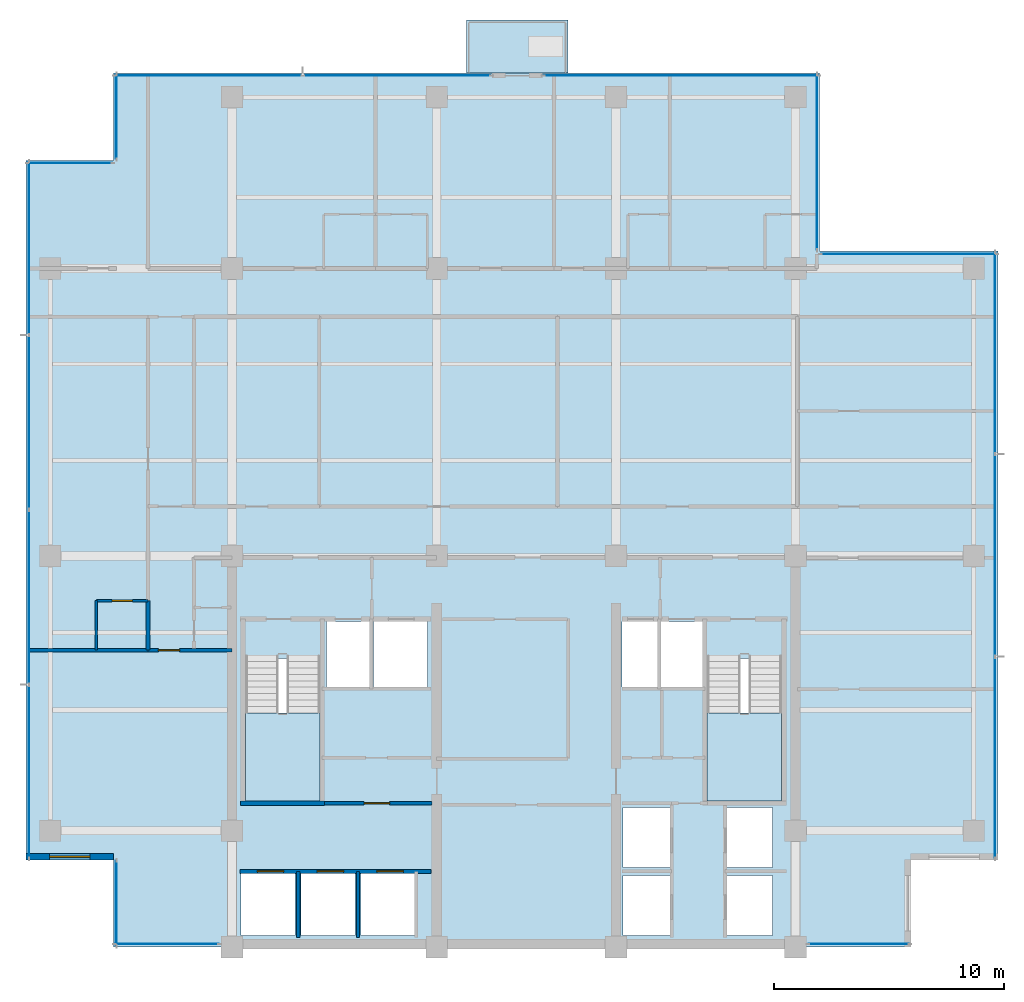
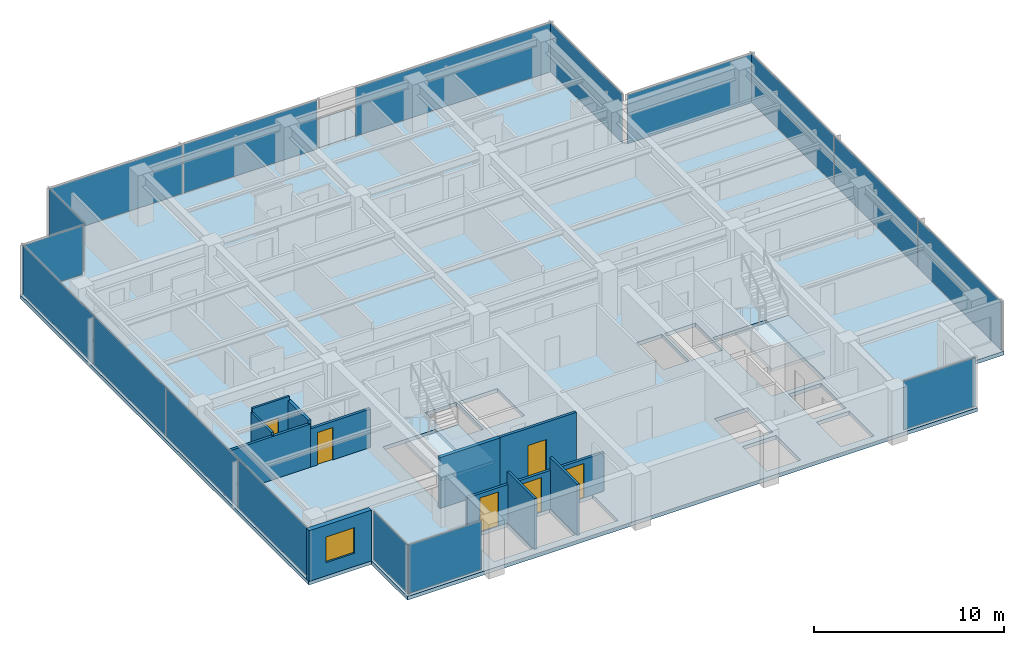
# One storey, part 6 of 15: 17 plates, 11 walls, 6 doors, 4 slabs, 1 window, 7 openings, 13 elements without a shape of their own.
"""IFC4 building model written with IfcOpenShell, lengths in metres."""

from ifc_helpers import new_model, si_unit, direction, frame, frame_2d, origin, origin_2d, place, context, subcontext, project, spatial, polyline, rectangle, outline, extrude, material, layer, layer_set, type_object, element, fill, aggregate, save


model = new_model("IFC4")

# Units and contexts
model_context = context("Model", 3, precision=1e-05, world=origin(), true_north=direction((0.0, 1.0)))
body_context = subcontext(model_context, "Body", "Model", "MODEL_VIEW")
ifc_project = project(units=[si_unit("LENGTHUNIT", "METRE"), si_unit("AREAUNIT", "SQUARE_METRE"), si_unit("VOLUMEUNIT", "CUBIC_METRE"), si_unit("PLANEANGLEUNIT", "RADIAN"), si_unit("MASSUNIT", "GRAM", prefix="KILO")], contexts=[model_context])

# Site, building, storey
site_placement = place(None, origin())
site = spatial("IfcSite", under=ifc_project, at=site_placement, CompositionType="ELEMENT")
building_placement = place(site_placement, origin())
building = spatial("IfcBuilding", under=site, at=building_placement, Name="Qalmaran Belvedere Hotel", CompositionType="ELEMENT")
storey_placement = place(building_placement, frame((0.0, 0.0, 231.89990234375)))
storey = spatial("IfcBuildingStorey", under=building, at=storey_placement, Name="L59", CompositionType="ELEMENT", Elevation=231.89990234375)

# Curtain wall, plate
ifc_material_1 = material(Name="Anodised Bronze Aluminium", Category="aluminium")
ifc_layer_1 = layer(ifc_material_1, 0.18994140625, Name="Anodised Bronze Aluminium")
ifc_layer_set_1 = layer_set([ifc_layer_1], Name="Anodised Bronze Aluminium")
curtain_wall_type = type_object("IfcCurtainWallType", Name="CW5-TOWER-UPPER", PredefinedType="NOTDEFINED", material=ifc_layer_set_1)
curtain_wall_1_placement = place(storey_placement, origin())
curtain_wall_1 = element("IfcCurtainWall", 1, at=curtain_wall_1_placement, inside=storey, type_object=curtain_wall_type, Name="L59 Curtain Wall CW5", PredefinedType="NOTDEFINED")
ifc_material_2 = material(Name="Solar-Control Double Glazing", Category="glass")
ifc_layer_2 = layer(ifc_material_2, 0.028076171875, Name="Solar-Control Double Glazing")
ifc_layer_set_2 = layer_set([ifc_layer_2], Name="Solar-Control Double Glazing")
plate_type = type_object("IfcPlateType", Name="CWP-VISION-28", PredefinedType="CURTAIN_PANEL", material=ifc_layer_set_2)
plate_1_placement = place(storey_placement, frame((17.467529296875, 3.6201171875, 0.065185546875), z_axis=(0.0, 0.0, 1.0), x_axis=(1.0, 0.0, 0.0)))
plate_1 = element("IfcPlate", 2, at=plate_1_placement, type_object=plate_type, Name="CW5 panel 1.1", PredefinedType="CURTAIN_PANEL", context=body_context, shape_type="SweptSolid", body=[
    extrude(rectangle(XDim=4.5048828125, YDim=0.028076171875, at=origin_2d()), origin(), (0.0, 0.0, 1.0), 3.1298828125),
])
aggregate(curtain_wall_1, [plate_1])

curtain_wall_2_placement = place(storey_placement, origin())
curtain_wall_2 = element("IfcCurtainWall", 3, at=curtain_wall_2_placement, inside=storey, type_object=curtain_wall_type, Name="L59 Curtain Wall CW5", PredefinedType="NOTDEFINED")
plate_2_placement = place(storey_placement, frame((47.5576171875, 3.6201171875, 0.065185546875), z_axis=(0.0, 0.0, 1.0), x_axis=(1.0, 0.0, 0.0)))
plate_2 = element("IfcPlate", 4, at=plate_2_placement, type_object=plate_type, Name="CW5 panel 1.1", PredefinedType="CURTAIN_PANEL", context=body_context, shape_type="SweptSolid", body=[
    extrude(rectangle(XDim=4.35498046875, YDim=0.028076171875, at=origin_2d()), origin(), (0.0, 0.0, 1.0), 3.1298828125),
])
aggregate(curtain_wall_2, [plate_2])

# Curtain wall, plates
curtain_wall_3_placement = place(storey_placement, origin())
curtain_wall_3 = element("IfcCurtainWall", 5, at=curtain_wall_3_placement, inside=storey, type_object=curtain_wall_type, Name="L59 Curtain Wall CW5", PredefinedType="NOTDEFINED")
plate_3_placement = place(storey_placement, frame((53.47998046875, 11.724609375, 0.065185546875), z_axis=(0.0, 0.0, 1.0), x_axis=(0.0, 1.0, 0.0)))
plate_3 = element("IfcPlate", 6, at=plate_3_placement, type_object=plate_type, Name="CW5 panel 1.1", PredefinedType="CURTAIN_PANEL", context=body_context, shape_type="SweptSolid", body=[
    extrude(rectangle(XDim=8.71923828125, YDim=0.028076171875, at=origin_2d()), origin(), (0.0, 0.0, 1.0), 3.1298828125),
])
plate_4_placement = place(storey_placement, frame((53.47998046875, 20.52490234375, 0.065185546875), z_axis=(0.0, 0.0, 1.0), x_axis=(0.0, 1.0, 0.0)))
plate_4 = element("IfcPlate", 7, at=plate_4_placement, type_object=plate_type, Name="CW5 panel 2.1", PredefinedType="CURTAIN_PANEL", context=body_context, shape_type="SweptSolid", body=[
    extrude(rectangle(XDim=8.751708984375, YDim=0.028076171875, at=origin_2d()), origin(), (0.0, 0.0, 1.0), 3.1298828125),
])
plate_5_placement = place(storey_placement, frame((53.47998046875, 29.325439453125, 0.065185546875), z_axis=(0.0, 0.0, 1.0), x_axis=(0.0, 1.0, 0.0)))
plate_5 = element("IfcPlate", 8, at=plate_5_placement, type_object=plate_type, Name="CW5 panel 3.1", PredefinedType="CURTAIN_PANEL", context=body_context, shape_type="SweptSolid", body=[
    extrude(rectangle(XDim=8.71923828125, YDim=0.028076171875, at=origin_2d()), origin(), (0.0, 0.0, 1.0), 3.1298828125),
])
aggregate(curtain_wall_3, [plate_3, plate_4, plate_5])

# Curtain wall, plate
curtain_wall_4_placement = place(storey_placement, origin())
curtain_wall_4 = element("IfcCurtainWall", 9, at=curtain_wall_4_placement, inside=storey, type_object=curtain_wall_type, Name="L59 Curtain Wall CW5", PredefinedType="NOTDEFINED")
plate_6_placement = place(storey_placement, frame((49.72509765625, 33.6298828125, 0.065185546875), z_axis=(0.0, 0.0, 1.0), x_axis=(-1.0, 0.0, 0.0)))
plate_6 = element("IfcPlate", 10, at=plate_6_placement, type_object=plate_type, Name="CW5 panel 1.1", PredefinedType="CURTAIN_PANEL", context=body_context, shape_type="SweptSolid", body=[
    extrude(rectangle(XDim=7.6201171875, YDim=0.028076171875, at=origin_2d()), origin(), (0.0, 0.0, 1.0), 3.1298828125),
])
aggregate(curtain_wall_4, [plate_6])

curtain_wall_5_placement = place(storey_placement, origin())
curtain_wall_5 = element("IfcCurtainWall", 11, at=curtain_wall_5_placement, inside=storey, type_object=curtain_wall_type, Name="L59 Curtain Wall CW5", PredefinedType="NOTDEFINED")
plate_7_placement = place(storey_placement, frame((45.72998046875, 37.625, 0.065185546875), z_axis=(0.0, 0.0, 1.0), x_axis=(0.0, 1.0, 0.0)))
plate_7 = element("IfcPlate", 12, at=plate_7_placement, type_object=plate_type, Name="CW5 panel 1.1", PredefinedType="CURTAIN_PANEL", context=body_context, shape_type="SweptSolid", body=[
    extrude(rectangle(XDim=7.6201171875, YDim=0.028076171875, at=origin_2d()), origin(), (0.0, 0.0, 1.0), 3.1298828125),
])
aggregate(curtain_wall_5, [plate_7])

# Curtain wall, plates
curtain_wall_6_placement = place(storey_placement, origin())
curtain_wall_6 = element("IfcCurtainWall", 13, at=curtain_wall_6_placement, inside=storey, type_object=curtain_wall_type, Name="L59 Curtain Wall CW5", PredefinedType="NOTDEFINED")
plate_8_placement = place(storey_placement, frame((27.47119140625, 41.3798828125, 0.065185546875), z_axis=(0.0, 0.0, 1.0), x_axis=(-1.0, 0.0, 0.0)))
plate_8 = element("IfcPlate", 14, at=plate_8_placement, type_object=plate_type, Name="CW5 panel 1.1", PredefinedType="CURTAIN_PANEL", context=body_context, shape_type="SweptSolid", body=[
    extrude(rectangle(XDim=8.12744140625, YDim=0.028076171875, at=origin_2d()), origin(), (0.0, 0.0, 1.0), 3.1298828125),
])
plate_9_placement = place(storey_placement, frame((19.27880859375, 41.3798828125, 0.065185546875), z_axis=(0.0, 0.0, 1.0), x_axis=(-1.0, 0.0, 0.0)))
plate_9 = element("IfcPlate", 15, at=plate_9_placement, type_object=plate_type, Name="CW5 panel 2.1", PredefinedType="CURTAIN_PANEL", context=body_context, shape_type="SweptSolid", body=[
    extrude(rectangle(XDim=8.12744140625, YDim=0.028076171875, at=origin_2d()), origin(), (0.0, 0.0, 1.0), 3.1298828125),
])
aggregate(curtain_wall_6, [plate_8, plate_9])

# Curtain wall, plate
curtain_wall_7_placement = place(storey_placement, origin())
curtain_wall_7 = element("IfcCurtainWall", 16, at=curtain_wall_7_placement, inside=storey, type_object=curtain_wall_type, Name="L59 Curtain Wall CW5", PredefinedType="NOTDEFINED")
plate_10_placement = place(storey_placement, frame((39.824951171875, 41.3798828125, 0.065185546875), z_axis=(0.0, 0.0, 1.0), x_axis=(-1.0, 0.0, 0.0)))
plate_10 = element("IfcPlate", 17, at=plate_10_placement, type_object=plate_type, Name="CW5 panel 1.1", PredefinedType="CURTAIN_PANEL", context=body_context, shape_type="SweptSolid", body=[
    extrude(rectangle(XDim=11.919921875, YDim=0.028076171875, at=origin_2d()), origin(), (0.0, 0.0, 1.0), 3.1298828125),
])
aggregate(curtain_wall_7, [plate_10])

curtain_wall_8_placement = place(storey_placement, origin())
curtain_wall_8 = element("IfcCurtainWall", 18, at=curtain_wall_8_placement, inside=storey, type_object=curtain_wall_type, Name="L59 Curtain Wall CW5", PredefinedType="NOTDEFINED")
plate_11_placement = place(storey_placement, frame((15.27001953125, 39.60009765625, 0.065185546875), z_axis=(0.0, 0.0, 1.0), x_axis=(0.0, -1.0, 0.0)))
plate_11 = element("IfcPlate", 19, at=plate_11_placement, type_object=plate_type, Name="CW5 panel 1.1", PredefinedType="CURTAIN_PANEL", context=body_context, shape_type="SweptSolid", body=[
    extrude(rectangle(XDim=3.669921875, YDim=0.028076171875, at=origin_2d()), origin(), (0.0, 0.0, 1.0), 3.1298828125),
])
aggregate(curtain_wall_8, [plate_11])

curtain_wall_9_placement = place(storey_placement, origin())
curtain_wall_9 = element("IfcCurtainWall", 20, at=curtain_wall_9_placement, inside=storey, type_object=curtain_wall_type, Name="L59 Curtain Wall CW5", PredefinedType="NOTDEFINED")
plate_12_placement = place(storey_placement, frame((13.25, 37.580078125, 0.065185546875), z_axis=(0.0, 0.0, 1.0), x_axis=(-1.0, 0.0, 0.0)))
plate_12 = element("IfcPlate", 21, at=plate_12_placement, type_object=plate_type, Name="CW5 panel 1.1", PredefinedType="CURTAIN_PANEL", context=body_context, shape_type="SweptSolid", body=[
    extrude(rectangle(XDim=3.669921875, YDim=0.028076171875, at=origin_2d()), origin(), (0.0, 0.0, 1.0), 3.1298828125),
])
aggregate(curtain_wall_9, [plate_12])

# Curtain wall, plates
curtain_wall_10_placement = place(storey_placement, origin())
curtain_wall_10 = element("IfcCurtainWall", 22, at=curtain_wall_10_placement, inside=storey, type_object=curtain_wall_type, Name="L59 Curtain Wall CW5", PredefinedType="NOTDEFINED")
plate_13_placement = place(storey_placement, frame((11.469970703125, 33.8837890625, 0.065185546875), z_axis=(0.0, 0.0, 1.0), x_axis=(0.0, -1.0, 0.0)))
plate_13 = element("IfcPlate", 23, at=plate_13_placement, type_object=plate_type, Name="CW5 panel 1.1", PredefinedType="CURTAIN_PANEL", context=body_context, shape_type="SweptSolid", body=[
    extrude(rectangle(XDim=7.50244140625, YDim=0.028076171875, at=origin_2d()), origin(), (0.0, 0.0, 1.0), 3.1298828125),
])
plate_14_placement = place(storey_placement, frame((11.469970703125, 26.300048828125, 0.065185546875), z_axis=(0.0, 0.0, 1.0), x_axis=(0.0, -1.0, 0.0)))
plate_14 = element("IfcPlate", 24, at=plate_14_placement, type_object=plate_type, Name="CW5 panel 2.1", PredefinedType="CURTAIN_PANEL", context=body_context, shape_type="SweptSolid", body=[
    extrude(rectangle(XDim=7.534912109375, YDim=0.028076171875, at=origin_2d()), origin(), (0.0, 0.0, 1.0), 3.1298828125),
])
plate_15_placement = place(storey_placement, frame((11.469970703125, 18.699951171875, 0.065185546875), z_axis=(0.0, 0.0, 1.0), x_axis=(0.0, -1.0, 0.0)))
plate_15 = element("IfcPlate", 25, at=plate_15_placement, type_object=plate_type, Name="CW5 panel 3.1", PredefinedType="CURTAIN_PANEL", context=body_context, shape_type="SweptSolid", body=[
    extrude(rectangle(XDim=7.534912109375, YDim=0.028076171875, at=origin_2d()), origin(), (0.0, 0.0, 1.0), 3.1298828125),
])
plate_16_placement = place(storey_placement, frame((11.469970703125, 11.1162109375, 0.065185546875), z_axis=(0.0, 0.0, 1.0), x_axis=(0.0, -1.0, 0.0)))
plate_16 = element("IfcPlate", 26, at=plate_16_placement, type_object=plate_type, Name="CW5 panel 4.1", PredefinedType="CURTAIN_PANEL", context=body_context, shape_type="SweptSolid", body=[
    extrude(rectangle(XDim=7.50244140625, YDim=0.028076171875, at=origin_2d()), origin(), (0.0, 0.0, 1.0), 3.1298828125),
])
aggregate(curtain_wall_10, [plate_13, plate_14, plate_15, plate_16])

# Curtain wall, plate
curtain_wall_11_placement = place(storey_placement, origin())
curtain_wall_11 = element("IfcCurtainWall", 27, at=curtain_wall_11_placement, inside=storey, type_object=curtain_wall_type, Name="L59 Curtain Wall CW5", PredefinedType="NOTDEFINED")
plate_17_placement = place(storey_placement, frame((15.27001953125, 5.39990234375, 0.065185546875), z_axis=(0.0, 0.0, 1.0), x_axis=(0.0, -1.0, 0.0)))
plate_17 = element("IfcPlate", 28, at=plate_17_placement, type_object=plate_type, Name="CW5 panel 1.1", PredefinedType="CURTAIN_PANEL", context=body_context, shape_type="SweptSolid", body=[
    extrude(rectangle(XDim=3.669921875, YDim=0.028076171875, at=origin_2d()), origin(), (0.0, 0.0, 1.0), 3.1298828125),
])
aggregate(curtain_wall_11, [plate_17])

# Slab
ifc_material_3 = material(Name="Concrete C40/50", Category="concrete")
ifc_layer_3 = layer(ifc_material_3, 0.219970703125, Name="Concrete C40/50")
ifc_layer_set_3 = layer_set([ifc_layer_3], Name="Concrete C40/50")
slab_type_1 = type_object("IfcSlabType", Name="SLB-BAL-220", PredefinedType="USERDEFINED", material=ifc_layer_set_3)
slab_1_placement = place(storey_placement, frame((0.0, 0.0, -0.219970703125)))
element("IfcSlab", 29, at=slab_1_placement, inside=storey, type_object=slab_type_1, Name="L59 Planted Tree Balcony Slab 1", ObjectType="BALCONY", PredefinedType="USERDEFINED", context=body_context, shape_type="SweptSolid", body=[
    extrude(outline(polyline([(30.5, 41.5), (34.89990234375, 41.5), (34.89990234375, 43.800048828125), (30.5, 43.800048828125), (30.5, 41.5)])), origin(), (0.0, 0.0, 1.0), 0.219970703125),
])

# Stair, slab
stair_type_1 = type_object("IfcStairType", Name="STR-ST-1-1450-R1750", PredefinedType="HALF_TURN_STAIR", material=ifc_material_3)
stair_1_placement = place(storey_placement, origin())
stair_1 = element("IfcStair", 30, at=stair_1_placement, inside=storey, type_object=stair_type_1, Name="L59 West Core Exit Stair ST-1", PredefinedType="HALF_TURN_STAIR")
ifc_layer_4 = layer(ifc_material_3, 0.199951171875, Name="Concrete C40/50")
ifc_layer_set_4 = layer_set([ifc_layer_4], Name="Concrete C40/50")
slab_type_2 = type_object("IfcSlabType", Name="SLB-STAIR-LANDING-200", PredefinedType="LANDING", material=ifc_layer_set_4)
slab_2_placement = place(storey_placement, frame((0.0, 0.0, 1.550048828125)))
slab_2 = element("IfcSlab", 31, at=slab_2_placement, type_object=slab_type_2, Name="ST-1 landing 1", PredefinedType="LANDING", context=body_context, shape_type="SweptSolid", body=[
    extrude(outline(polyline([(20.8798828125, 13.669921875), (20.8798828125, 9.85009765625), (24.1201171875, 9.85009765625), (24.1201171875, 13.669921875), (20.8798828125, 13.669921875)])), origin(), (0.0, 0.0, 1.0), 0.199951171875),
])
aggregate(stair_1, [slab_2])

stair_type_2 = type_object("IfcStairType", Name="STR-ST-2-1450-R1750", PredefinedType="HALF_TURN_STAIR", material=ifc_material_3)
stair_2_placement = place(storey_placement, origin())
stair_2 = element("IfcStair", 32, at=stair_2_placement, inside=storey, type_object=stair_type_2, Name="L59 East Core Exit Stair ST-2", PredefinedType="HALF_TURN_STAIR")
slab_3_placement = place(storey_placement, frame((0.0, 0.0, 1.550048828125)))
slab_3 = element("IfcSlab", 33, at=slab_3_placement, type_object=slab_type_2, Name="ST-2 landing 1", PredefinedType="LANDING", context=body_context, shape_type="SweptSolid", body=[
    extrude(outline(polyline([(40.9599609375, 13.669921875), (40.9599609375, 9.85009765625), (44.199951171875, 9.85009765625), (44.199951171875, 13.669921875), (40.9599609375, 13.669921875)])), origin(), (0.0, 0.0, 1.0), 0.199951171875),
])
aggregate(stair_2, [slab_3])

# Slab
ifc_layer_5 = layer(ifc_material_3, 0.239990234375, Name="Concrete C40/50")
ifc_layer_set_5 = layer_set([ifc_layer_5], Name="Concrete C40/50")
slab_type_3 = type_object("IfcSlabType", Name="SLB-Z4-240", PredefinedType="FLOOR", material=ifc_layer_set_5)
slab_4_placement = place(storey_placement, frame((0.0, 0.0, -0.239990234375)))
element("IfcSlab", 34, at=slab_4_placement, inside=storey, type_object=slab_type_3, Name="L59 Structural Floor Slab", PredefinedType="FLOOR", context=body_context, shape_type="SweptSolid", body=[
    extrude(outline(polyline([(15.14990234375, 3.5), (49.800048828125, 3.5), (49.800048828125, 7.300048828125), (53.60009765625, 7.300048828125), (53.60009765625, 33.75), (45.85009765625, 33.75), (45.85009765625, 41.5), (15.14990234375, 41.5), (15.14990234375, 37.699951171875), (11.35009765625, 37.699951171875), (11.35009765625, 7.300048828125), (15.14990234375, 7.300048828125), (15.14990234375, 3.5)]), holes=[polyline([(20.8798828125, 9.85009765625), (24.1201171875, 9.85009765625), (24.1201171875, 16.0400390625), (20.8798828125, 16.0400390625), (20.8798828125, 9.85009765625)]), polyline([(40.9599609375, 9.85009765625), (44.199951171875, 9.85009765625), (44.199951171875, 16.0400390625), (40.9599609375, 16.0400390625), (40.9599609375, 9.85009765625)]), polyline([(37.300048828125, 4.0), (39.35009765625, 4.0), (39.35009765625, 6.60009765625), (37.300048828125, 6.60009765625), (37.300048828125, 4.0)]), polyline([(37.300048828125, 6.949951171875), (39.35009765625, 6.949951171875), (39.35009765625, 9.550048828125), (37.300048828125, 9.550048828125), (37.300048828125, 6.949951171875)]), polyline([(41.800048828125, 4.0), (43.800048828125, 4.0), (43.800048828125, 6.60009765625), (41.800048828125, 6.60009765625), (41.800048828125, 4.0)]), polyline([(41.800048828125, 6.949951171875), (43.800048828125, 6.949951171875), (43.800048828125, 9.550048828125), (41.800048828125, 9.550048828125), (41.800048828125, 6.949951171875)]), polyline([(20.699951171875, 4.0), (23.050048828125, 4.0), (23.050048828125, 6.699951171875), (20.699951171875, 6.699951171875), (20.699951171875, 4.0)]), polyline([(23.300048828125, 4.0), (25.64990234375, 4.0), (25.64990234375, 6.699951171875), (23.300048828125, 6.699951171875), (23.300048828125, 4.0)]), polyline([(25.89990234375, 4.0), (28.25, 4.0), (28.25, 6.699951171875), (25.89990234375, 6.699951171875), (25.89990234375, 4.0)]), polyline([(24.39990234375, 14.800048828125), (26.300048828125, 14.800048828125), (26.300048828125, 17.64990234375), (24.39990234375, 17.64990234375), (24.39990234375, 14.800048828125)]), polyline([(38.949951171875, 14.800048828125), (40.820068359375, 14.800048828125), (40.820068359375, 17.64990234375), (38.949951171875, 17.64990234375), (38.949951171875, 14.800048828125)]), polyline([(26.449951171875, 14.800048828125), (28.800048828125, 14.800048828125), (28.800048828125, 17.64990234375), (26.449951171875, 17.64990234375), (26.449951171875, 14.800048828125)]), polyline([(37.25, 14.800048828125), (38.800048828125, 14.800048828125), (38.800048828125, 17.64990234375), (37.25, 17.64990234375), (37.25, 14.800048828125)])]), origin(), (0.0, 0.0, 1.0), 0.239990234375),
])

# Wall, opening, window
ifc_material_4 = material(Name="Anodised Bronze Cladding")
ifc_layer_6 = layer(ifc_material_4, 0.280029296875, Name="Anodised Bronze Cladding")
ifc_layer_set_6 = layer_set([ifc_layer_6], Name="Anodised Bronze Cladding")
wall_type_1 = type_object("IfcWallType", Name="WL-EXT-BRNZ-280", PredefinedType="SOLIDWALL", material=ifc_layer_set_6)
wall_1_placement = place(storey_placement, frame((11.35009765625, 7.419921875, 0.0), z_axis=(0.0, 0.0, 1.0), x_axis=(1.0, 0.0, 0.0)))
wall_1 = element("IfcWall", 35, at=wall_1_placement, inside=storey, type_object=wall_type_1, Name="L59 Corner Notch Wall 10", PredefinedType="SOLIDWALL", context=body_context, shape_type="SweptSolid", body=[
    extrude(rectangle(XDim=3.7998046875, YDim=0.280029296875, at=frame_2d((1.89990234375, 0.0))), origin(), (0.0, 0.0, 1.0), 3.260009765625),
])
opening_1_placement = place(wall_1_placement, frame((1.02490234375, 0.0, 0.85009765625)))
opening_1 = element("IfcOpeningElement", 36, at=opening_1_placement, cuts=wall_1, Name="Opening W-N17", PredefinedType="OPENING", context=body_context, shape_type="SweptSolid", body=[
    extrude(rectangle(XDim=1.75, YDim=1.64990234375, at=frame_2d((0.875, 0.824951171875))), frame((0.0, 0.14990234375, 0.0), z_axis=(0.0, -1.0, 0.0), x_axis=(1.0, 0.0, 0.0)), (0.0, 0.0, 1.0), 0.300048828125),
])
window_type = type_object("IfcWindowType", Name="WN-NTC-1750X1650", PartitioningType="SINGLE_PANEL", PredefinedType="WINDOW", material=ifc_material_2)
window_placement = place(opening_1_placement, origin())
window = element("IfcWindow", 37, at=window_placement, inside=storey, type_object=window_type, Name="L59 Corner Notch Window 10", OverallHeight=1.64990234375, OverallWidth=1.75, PartitioningType="SINGLE_PANEL", PredefinedType="WINDOW", context=body_context, shape_type="SweptSolid", body=[
    extrude(rectangle(XDim=1.75, YDim=1.64990234375, at=frame_2d((0.875, 0.824951171875))), frame((0.0, 0.030029296875, 0.0), z_axis=(0.0, -1.0, 0.0), x_axis=(1.0, 0.0, 0.0)), (0.0, 0.0, 1.0), 0.06005859375),
])
fill(opening_1, window)

# Wall, opening, door
ifc_material_5 = material(Name="Moisture-Resistant Gypsum")
ifc_layer_7 = layer(ifc_material_5, 0.1201171875, Name="Moisture-Resistant Gypsum")
ifc_layer_set_7 = layer_set([ifc_layer_7], Name="Moisture-Resistant Gypsum")
wall_type_2 = type_object("IfcWallType", Name="WL-INT-120-BATH", PredefinedType="PARTITIONING", material=ifc_layer_set_7)
wall_2_placement = place(storey_placement, frame((14.39990234375, 18.550048828125, 0.0), z_axis=(0.0, 0.0, 1.0), x_axis=(1.0, 0.0, 0.0)))
wall_2 = element("IfcWall", 38, at=wall_2_placement, inside=storey, type_object=wall_type_2, Name="L59 Partition WL-L59-WBN00", PredefinedType="PARTITIONING", context=body_context, shape_type="SweptSolid", body=[
    extrude(rectangle(XDim=2.25, YDim=0.1201171875, at=frame_2d((1.125, 0.0))), origin(), (0.0, 0.0, 1.0), 3.260009765625),
])
opening_2_placement = place(wall_2_placement, frame((1.56494140625, 0.0, 0.0), z_axis=(0.0, 0.0, 1.0), x_axis=(-1.0, 0.0, 0.0)))
opening_2 = element("IfcOpeningElement", 39, at=opening_2_placement, cuts=wall_2, Name="Opening D-BATH", PredefinedType="OPENING", context=body_context, shape_type="SweptSolid", body=[
    extrude(rectangle(XDim=0.8798828125, YDim=2.080078125, at=frame_2d((0.43994140625, 1.0400390625))), frame((0.0, 0.070068359375, 0.0), z_axis=(0.0, -1.0, 0.0), x_axis=(1.0, 0.0, 0.0)), (0.0, 0.0, 1.0), 0.14013671875),
])
ifc_material_6 = material(Name="Engineered Oak Veneer")
door_type_1 = type_object("IfcDoorType", Name="DR-INT-BATH-880X2080", OperationType="NOTDEFINED", PredefinedType="DOOR", material=ifc_material_6)
door_1_placement = place(opening_2_placement, origin())
door_1 = element("IfcDoor", 40, at=door_1_placement, inside=storey, type_object=door_type_1, Name="L59 W Ensuite Door 01", OperationType="SINGLE_SWING_LEFT", OverallHeight=2.080078125, OverallWidth=0.8798828125, PredefinedType="DOOR", context=body_context, shape_type="SweptSolid", body=[
    extrude(rectangle(XDim=0.8798828125, YDim=2.080078125, at=frame_2d((0.43994140625, 1.0400390625))), frame((0.0, 0.02490234375, 0.0), z_axis=(0.0, -1.0, 0.0), x_axis=(1.0, 0.0, 0.0)), (0.0, 0.0, 1.0), 0.050048828125),
])
fill(opening_2, door_1)

# Walls
wall_3_placement = place(storey_placement, frame((14.39990234375, 16.39990234375, 0.0), z_axis=(0.0, 0.0, 1.0), x_axis=(0.0, 1.0, 0.0)))
element("IfcWall", 41, at=wall_3_placement, inside=storey, type_object=wall_type_2, Name="L59 Partition WL-L59-WBS00", PredefinedType="PARTITIONING", context=body_context, shape_type="SweptSolid", body=[
    extrude(rectangle(XDim=2.150146484375, YDim=0.1201171875, at=frame_2d((1.0751953125, 0.0))), origin(), (0.0, 0.0, 1.0), 2.998046875),
])
ifc_material_7 = material(Name="Gypsum Stud Partition")
ifc_layer_8 = layer(ifc_material_7, 0.14990234375, Name="Gypsum Stud Partition")
ifc_layer_set_8 = layer_set([ifc_layer_8], Name="Gypsum Stud Partition")
wall_type_3 = type_object("IfcWallType", Name="WL-INT-150-EI120", PredefinedType="PARTITIONING", material=ifc_layer_set_8)
for number, where, z_axis, x_axis, name in (
    (42, (23.179931640625, 3.89990234375, 0.0), (0.0, 0.0, 1.0), (0.0, 1.0, 0.0), "L59 Partition WL-POM1-L59"),
    (43, (25.780029296875, 3.89990234375, 0.0), (0.0, 0.0, 1.0), (0.0, 1.0, 0.0), "L59 Partition WL-POM2-L59"),
):
    element("IfcWall", number, at=place(storey_placement, frame(where, z_axis=z_axis, x_axis=x_axis)), inside=storey, type_object=wall_type_3, Name=name, PredefinedType="PARTITIONING", context=body_context, shape_type="SweptSolid", body=[
        extrude(rectangle(XDim=2.880126953125, YDim=0.14990234375, at=frame_2d((1.43994140625, 0.0))), origin(), (0.0, 0.0, 1.0), 3.260009765625),
    ])

# Wall, openings, doors
ifc_layer_9 = layer(ifc_material_7, 0.159912109375, Name="Gypsum Stud Partition")
ifc_layer_set_9 = layer_set([ifc_layer_9], Name="Gypsum Stud Partition")
wall_type_4 = type_object("IfcWallType", Name="WL-INT-160-EI120", PredefinedType="PARTITIONING", material=ifc_layer_set_9)
wall_4_placement = place(storey_placement, frame((20.64990234375, 6.780029296875, 0.0), z_axis=(0.0, 0.0, 1.0), x_axis=(1.0, 0.0, 0.0)))
wall_4 = element("IfcWall", 44, at=wall_4_placement, inside=storey, type_object=wall_type_4, Name="L59 Partition WL-POS-L59", PredefinedType="PARTITIONING", context=body_context, shape_type="SweptSolid", body=[
    extrude(rectangle(XDim=8.300048828125, YDim=0.159912109375, at=frame_2d((4.14990234375, 0.0))), origin(), (0.0, 0.0, 1.0), 2.47216796875),
])
opening_3_placement = place(wall_4_placement, frame((0.75, 0.0, 0.0)))
opening_3 = element("IfcOpeningElement", 45, at=opening_3_placement, cuts=wall_4, Name="Opening LD-PO", PredefinedType="OPENING", context=body_context, shape_type="SweptSolid", body=[
    extrude(rectangle(XDim=1.14990234375, YDim=2.199951171875, at=frame_2d((0.574951171875, 1.10009765625))), frame((0.0, 0.08984375, 0.0), z_axis=(0.0, -1.0, 0.0), x_axis=(1.0, 0.0, 0.0)), (0.0, 0.0, 1.0), 0.179931640625),
])
opening_4_placement = place(wall_4_placement, frame((3.35009765625, 0.0, 0.0)))
opening_4 = element("IfcOpeningElement", 46, at=opening_4_placement, cuts=wall_4, Name="Opening LD-PO", PredefinedType="OPENING", context=body_context, shape_type="SweptSolid", body=[
    extrude(rectangle(XDim=1.14990234375, YDim=2.199951171875, at=frame_2d((0.574951171875, 1.10009765625))), frame((0.0, 0.08984375, 0.0), z_axis=(0.0, -1.0, 0.0), x_axis=(1.0, 0.0, 0.0)), (0.0, 0.0, 1.0), 0.179931640625),
])
opening_5_placement = place(wall_4_placement, frame((5.949951171875, 0.0, 0.0)))
opening_5 = element("IfcOpeningElement", 47, at=opening_5_placement, cuts=wall_4, Name="Opening LD-PO", PredefinedType="OPENING", context=body_context, shape_type="SweptSolid", body=[
    extrude(rectangle(XDim=1.14990234375, YDim=2.199951171875, at=frame_2d((0.574951171875, 1.10009765625))), frame((0.0, 0.08984375, 0.0), z_axis=(0.0, -1.0, 0.0), x_axis=(1.0, 0.0, 0.0)), (0.0, 0.0, 1.0), 0.179931640625),
])
door_type_2 = type_object("IfcDoorType", Name="DR-LIFT-PO-1150X2200", OperationType="DOUBLE_DOOR_SLIDING", PredefinedType="DOOR", material=ifc_material_1)
door_2_placement = place(opening_3_placement, origin())
door_2 = element("IfcDoor", 48, at=door_2_placement, inside=storey, type_object=door_type_2, Name="L59 PO1 Shuttle Landing Door", OperationType="DOUBLE_DOOR_SLIDING", OverallHeight=2.199951171875, OverallWidth=1.14990234375, PredefinedType="DOOR", context=body_context, shape_type="SweptSolid", body=[
    extrude(rectangle(XDim=1.14990234375, YDim=2.199951171875, at=frame_2d((0.574951171875, 1.10009765625))), frame((0.0, 0.02490234375, 0.0), z_axis=(0.0, -1.0, 0.0), x_axis=(1.0, 0.0, 0.0)), (0.0, 0.0, 1.0), 0.050048828125),
])
fill(opening_3, door_2)
door_3_placement = place(opening_4_placement, origin())
door_3 = element("IfcDoor", 49, at=door_3_placement, inside=storey, type_object=door_type_2, Name="L59 PO2 Shuttle Landing Door", OperationType="DOUBLE_DOOR_SLIDING", OverallHeight=2.199951171875, OverallWidth=1.14990234375, PredefinedType="DOOR", context=body_context, shape_type="SweptSolid", body=[
    extrude(rectangle(XDim=1.14990234375, YDim=2.199951171875, at=frame_2d((0.574951171875, 1.10009765625))), frame((0.0, 0.02490234375, 0.0), z_axis=(0.0, -1.0, 0.0), x_axis=(1.0, 0.0, 0.0)), (0.0, 0.0, 1.0), 0.050048828125),
])
fill(opening_4, door_3)
door_4_placement = place(opening_5_placement, origin())
door_4 = element("IfcDoor", 50, at=door_4_placement, inside=storey, type_object=door_type_2, Name="L59 PO3 Shuttle Landing Door", OperationType="DOUBLE_DOOR_SLIDING", OverallHeight=2.199951171875, OverallWidth=1.14990234375, PredefinedType="DOOR", context=body_context, shape_type="SweptSolid", body=[
    extrude(rectangle(XDim=1.14990234375, YDim=2.199951171875, at=frame_2d((0.574951171875, 1.10009765625))), frame((0.0, 0.02490234375, 0.0), z_axis=(0.0, -1.0, 0.0), x_axis=(1.0, 0.0, 0.0)), (0.0, 0.0, 1.0), 0.050048828125),
])
fill(opening_5, door_4)

# Wall, opening, door
wall_5_placement = place(storey_placement, frame((24.199951171875, 9.739990234375, 0.0), z_axis=(0.0, 0.0, 1.0), x_axis=(1.0, 0.0, 0.0)))
wall_5 = element("IfcWall", 51, at=wall_5_placement, inside=storey, type_object=wall_type_4, Name="L59 Partition WL-PON-L59", PredefinedType="PARTITIONING", context=body_context, shape_type="SweptSolid", body=[
    extrude(rectangle(XDim=4.800048828125, YDim=0.159912109375, at=frame_2d((2.39990234375, 0.0))), origin(), (0.0, 0.0, 1.0), 3.260009765625),
])
opening_6_placement = place(wall_5_placement, frame((1.85009765625, 0.0, 0.0)))
opening_6 = element("IfcOpeningElement", 52, at=opening_6_placement, cuts=wall_5, Name="Opening FD90", PredefinedType="OPENING", context=body_context, shape_type="SweptSolid", body=[
    extrude(rectangle(XDim=1.10009765625, YDim=2.14990234375, at=frame_2d((0.550048828125, 1.074951171875))), frame((0.0, 0.08984375, 0.0), z_axis=(0.0, -1.0, 0.0), x_axis=(1.0, 0.0, 0.0)), (0.0, 0.0, 1.0), 0.179931640625),
])
ifc_material_8 = material(Name="Steel S355JR", Category="steel")
door_type_3 = type_object("IfcDoorType", Name="DR-FD90-1100X2150", OperationType="NOTDEFINED", PredefinedType="DOOR", material=ifc_material_8)
door_5_placement = place(opening_6_placement, origin())
door_5 = element("IfcDoor", 53, at=door_5_placement, inside=storey, type_object=door_type_3, Name="L59 Shuttle Lobby Passage Door", OperationType="SINGLE_SWING_RIGHT", OverallHeight=2.14990234375, OverallWidth=1.10009765625, PredefinedType="DOOR", context=body_context, shape_type="SweptSolid", body=[
    extrude(rectangle(XDim=1.10009765625, YDim=2.14990234375, at=frame_2d((0.550048828125, 1.074951171875))), frame((0.0, 0.02490234375, 0.0), z_axis=(0.0, -1.0, 0.0), x_axis=(1.0, 0.0, 0.0)), (0.0, 0.0, 1.0), 0.050048828125),
])
fill(opening_6, door_5)

ifc_layer_10 = layer(ifc_material_7, 0.159912109375, Name="Gypsum Stud Partition")
ifc_layer_set_10 = layer_set([ifc_layer_10], Name="Gypsum Stud Partition")
wall_type_5 = type_object("IfcWallType", Name="WL-INT-160-EI60", PredefinedType="PARTITIONING", material=ifc_layer_set_10)
wall_6_placement = place(storey_placement, frame((16.64990234375, 16.39990234375, 0.0), z_axis=(0.0, 0.0, 1.0), x_axis=(1.0, 0.0, 0.0)))
wall_6 = element("IfcWall", 54, at=wall_6_placement, inside=storey, type_object=wall_type_5, Name="L59 Partition WL-L59-SWRL", PredefinedType="PARTITIONING", context=body_context, shape_type="SweptSolid", body=[
    extrude(rectangle(XDim=3.650146484375, YDim=0.159912109375, at=frame_2d((1.8251953125, 0.0))), origin(), (0.0, 0.0, 1.0), 2.47216796875),
])
opening_7_placement = place(wall_6_placement, frame((1.369873046875, 0.0, 0.0), z_axis=(0.0, 0.0, 1.0), x_axis=(-1.0, 0.0, 0.0)))
opening_7 = element("IfcOpeningElement", 55, at=opening_7_placement, cuts=wall_6, Name="Opening FD60S1", PredefinedType="OPENING", context=body_context, shape_type="SweptSolid", body=[
    extrude(rectangle(XDim=0.919921875, YDim=2.080078125, at=frame_2d((0.4599609375, 1.0400390625))), frame((0.0, 0.08984375, 0.0), z_axis=(0.0, -1.0, 0.0), x_axis=(1.0, 0.0, 0.0)), (0.0, 0.0, 1.0), 0.179931640625),
])
door_type_4 = type_object("IfcDoorType", Name="DR-FD60S-920X2080", OperationType="NOTDEFINED", PredefinedType="DOOR", material=ifc_material_6)
door_6_placement = place(opening_7_placement, origin())
door_6 = element("IfcDoor", 56, at=door_6_placement, inside=storey, type_object=door_type_4, Name="L59 SW Study Door", OperationType="SINGLE_SWING_RIGHT", OverallHeight=2.080078125, OverallWidth=0.919921875, PredefinedType="DOOR", context=body_context, shape_type="SweptSolid", body=[
    extrude(rectangle(XDim=0.919921875, YDim=2.080078125, at=frame_2d((0.4599609375, 1.0400390625))), frame((0.0, 0.02490234375, 0.0), z_axis=(0.0, -1.0, 0.0), x_axis=(1.0, 0.0, 0.0)), (0.0, 0.0, 1.0), 0.050048828125),
])
fill(opening_7, door_6)

# Walls
wall_7_placement = place(storey_placement, frame((11.469970703125, 16.39990234375, 0.0), z_axis=(0.0, 0.0, 1.0), x_axis=(1.0, 0.0, 0.0)))
element("IfcWall", 57, at=wall_7_placement, inside=storey, type_object=wall_type_5, Name="L59 Partition WL-L59-WBOT", PredefinedType="PARTITIONING", context=body_context, shape_type="SweptSolid", body=[
    extrude(rectangle(XDim=5.179931640625, YDim=0.159912109375, at=frame_2d((2.58984375, 0.0))), origin(), (0.0, 0.0, 1.0), 2.781982421875),
])
ifc_layer_11 = layer(ifc_material_7, 0.179931640625, Name="Gypsum Stud Partition")
ifc_layer_set_11 = layer_set([ifc_layer_11], Name="Gypsum Stud Partition")
wall_type_6 = type_object("IfcWallType", Name="WL-INT-180-EI60", PredefinedType="PARTITIONING", material=ifc_layer_set_11)
wall_8_placement = place(storey_placement, frame((16.64990234375, 16.39990234375, 0.0), z_axis=(0.0, 0.0, 1.0), x_axis=(0.0, 1.0, 0.0)))
element("IfcWall", 58, at=wall_8_placement, inside=storey, type_object=wall_type_6, Name="L59 Partition WL-L59-WBC00", PredefinedType="PARTITIONING", context=body_context, shape_type="SweptSolid", body=[
    extrude(rectangle(XDim=2.150146484375, YDim=0.179931640625, at=frame_2d((1.0751953125, 0.0))), origin(), (0.0, 0.0, 1.0), 2.998046875),
])
ifc_material_9 = material(Name="Concrete C50/60", Category="concrete")
ifc_layer_12 = layer(ifc_material_9, 0.2099609375, Name="Concrete C50/60")
ifc_layer_set_12 = layer_set([ifc_layer_12], Name="Concrete C50/60")
wall_type_7 = type_object("IfcWallType", Name="WL-STAIR-210-C50", PredefinedType="SHEAR", material=ifc_layer_set_12)
wall_9_placement = place(storey_placement, frame((20.669921875, 9.7451171875, 0.0), z_axis=(0.0, 0.0, 1.0), x_axis=(1.0, 0.0, 0.0)))
element("IfcWall", 59, at=wall_9_placement, inside=storey, type_object=wall_type_7, Name="L59 Stair ST-1 South Bearing Wall", PredefinedType="SHEAR", context=body_context, shape_type="SweptSolid", body=[
    extrude(rectangle(XDim=3.66015625, YDim=0.2099609375, at=frame_2d((1.830078125, 0.0))), origin(), (0.0, 0.0, 1.0), 3.260009765625),
])

save(model, "model.ifc")
